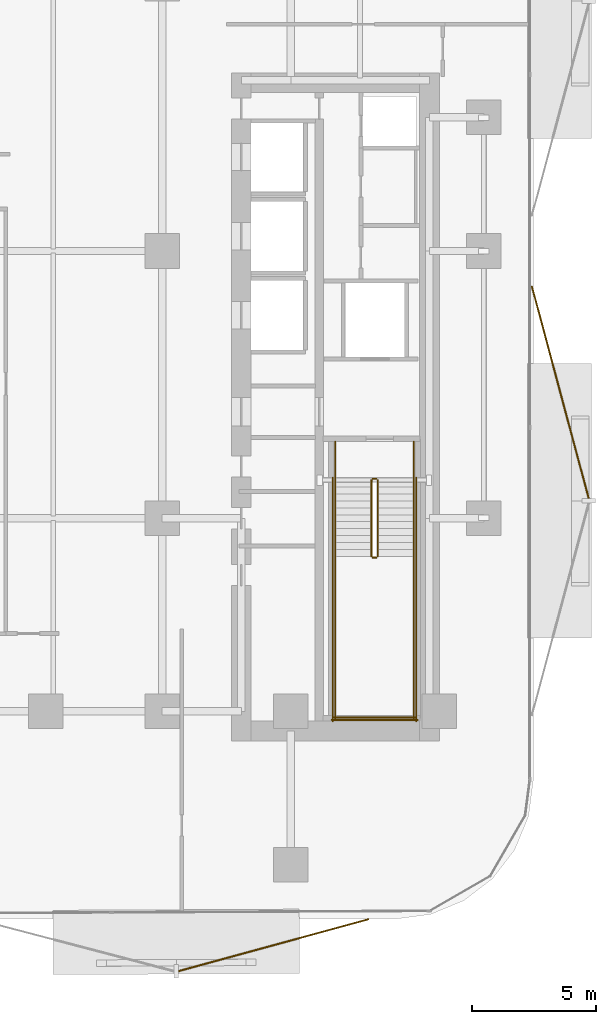
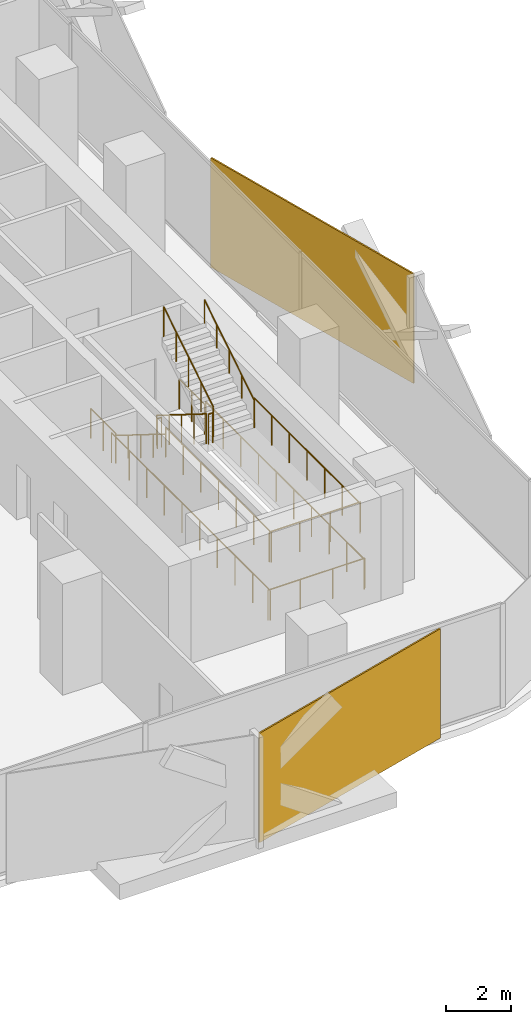
# One storey, part 14 of 16: 14 railings, 2 coverings.
"""IFC4 building model written with IfcOpenShell, lengths in metres."""

from ifc_helpers import new_model, si_unit, direction, frame, origin, origin_2d, place, context, subcontext, project, spatial, rectangle, circle, extrude, material, layer, layer_set, type_object, element, save


model = new_model("IFC4")

# Units and contexts
model_context = context("Model", 3, precision=1e-05, world=origin(), true_north=direction((0.0, 1.0)))
body_context = subcontext(model_context, "Body", "Model", "MODEL_VIEW")
ifc_project = project(units=[si_unit("LENGTHUNIT", "METRE"), si_unit("AREAUNIT", "SQUARE_METRE"), si_unit("VOLUMEUNIT", "CUBIC_METRE"), si_unit("PLANEANGLEUNIT", "RADIAN"), si_unit("MASSUNIT", "GRAM", prefix="KILO")], contexts=[model_context])

# Site, building, storey
site_placement = place(None, origin())
site = spatial("IfcSite", under=ifc_project, at=site_placement, CompositionType="ELEMENT")
building_placement = place(site_placement, origin())
building = spatial("IfcBuilding", under=site, at=building_placement, Name="Khairoan Windgate Tower", CompositionType="ELEMENT")
storey_placement = place(building_placement, frame((0.0, 0.0, 42.800048828125)))
storey = spatial("IfcBuildingStorey", under=building, at=storey_placement, Name="L10", CompositionType="ELEMENT", Elevation=42.800048828125)

# Coverings
ifc_material_1 = material(Name="Anodised Bronze Aluminium 6063-T6", Category="aluminium")
ifc_layer = layer(ifc_material_1, 0.054931640625, Name="Anodised Bronze Aluminium 6063-T6")
ifc_layer_set = layer_set([ifc_layer], Name="Anodised Bronze Aluminium 6063-T6")
covering_type = type_object("IfcCoveringType", Name="Perforated Bronze-Ceramic Folded Solar Screen Cladding BSC-1", PredefinedType="CLADDING", material=ifc_layer_set)
covering_1_placement = place(storey_placement, frame((13.705322265625, -28.052734375, -0.10009765625), z_axis=(0.0, 0.0, 1.0), x_axis=(-0.964649468762, -0.263536339841, 0.0)))
element("IfcCovering", 1, at=covering_1_placement, inside=storey, type_object=covering_type, Name="L10 Folded Bronze Solar Screen Facet 33L", PredefinedType="CLADDING", context=body_context, shape_type="SweptSolid", body=[
    extrude(rectangle(XDim=7.965087890625, YDim=0.054931640625, at=origin_2d()), origin(), (0.0, 0.0, 1.0), 4.139892578125),
])
covering_2_placement = place(storey_placement, frame((25.290283203125, -5.71484375, -0.10009765625), z_axis=(0.0, 0.0, 1.0), x_axis=(0.258819045103, -0.965925826289, 0.0)))
element("IfcCovering", 2, at=covering_2_placement, inside=storey, type_object=covering_type, Name="L10 Folded Bronze Solar Screen Facet 40L", PredefinedType="CLADDING", context=body_context, shape_type="SweptSolid", body=[
    extrude(rectangle(XDim=8.884033203125, YDim=0.054931640625, at=origin_2d()), origin(), (0.0, 0.0, 1.0), 4.139892578125),
])

# Railings
ifc_material_2 = material(Name="Anodised Bronze Aluminium 6063-T6", Category="aluminium")
railing_type_1 = type_object("IfcRailingType", Name="Stair Wall Handrail SHR-900", PredefinedType="HANDRAIL", material=ifc_material_2)
railing_1_placement = place(storey_placement, frame((16.199951171875, -9.260009765625, 0.175048828125)))
element("IfcRailing", 3, at=railing_1_placement, inside=storey, type_object=railing_type_1, Name="L10 ST1 stair handrail 1", PredefinedType="HANDRAIL", context=body_context, shape_type="SweptSolid", body=[
    extrude(circle(Radius=0.02392578125, at=origin_2d()), frame((0.0, 0.0, 0.8759765625), z_axis=(0.0, -0.848028513186, 0.529950602248), x_axis=(1.0, 0.0, 0.0)), (0.0, 0.0, 1.0), 3.632080078125),
    extrude(circle(Radius=0.02099609375, at=origin_2d()), origin(), (0.0, 0.0, 1.0), 0.851806640625),
    extrude(circle(Radius=0.02099609375, at=origin_2d()), frame((0.0, -0.77001953125, 0.481201171875)), (0.0, 0.0, 1.0), 0.851806640625),
    extrude(circle(Radius=0.02099609375, at=origin_2d()), frame((0.0, -1.5400390625, 0.96240234375)), (0.0, 0.0, 1.0), 0.851806640625),
    extrude(circle(Radius=0.02099609375, at=origin_2d()), frame((0.0, -2.31005859375, 1.443603515625)), (0.0, 0.0, 1.0), 0.851806640625),
    extrude(circle(Radius=0.02099609375, at=origin_2d()), frame((0.0, -3.080078125, 1.9248046875)), (0.0, 0.0, 1.0), 0.851806640625),
])
railing_2_placement = place(storey_placement, frame((19.3701171875, -12.340087890625, 2.27490234375)))
element("IfcRailing", 4, at=railing_2_placement, inside=storey, type_object=railing_type_1, Name="L10 ST1 stair handrail 2", PredefinedType="HANDRAIL", context=body_context, shape_type="SweptSolid", body=[
    extrude(circle(Radius=0.02392578125, at=origin_2d()), frame((0.0, 0.0, 0.8759765625), z_axis=(0.0, 0.847998304005, 0.529998940003), x_axis=(-1.0, 0.0, 0.0)), (0.0, 0.0, 1.0), 3.632080078125),
    extrude(circle(Radius=0.02099609375, at=origin_2d()), origin(), (0.0, 0.0, 1.0), 0.851806640625),
    extrude(circle(Radius=0.02099609375, at=origin_2d()), frame((0.0, 0.77001953125, 0.481201171875)), (0.0, 0.0, 1.0), 0.851806640625),
    extrude(circle(Radius=0.02099609375, at=origin_2d()), frame((0.0, 1.5400390625, 0.96240234375)), (0.0, 0.0, 1.0), 0.851806640625),
    extrude(circle(Radius=0.02099609375, at=origin_2d()), frame((0.0, 2.31005859375, 1.44384765625)), (0.0, 0.0, 1.0), 0.851806640625),
    extrude(circle(Radius=0.02099609375, at=origin_2d()), frame((0.0, 3.080078125, 1.925048828125)), (0.0, 0.0, 1.0), 0.851806640625),
])
ifc_material_3 = material(Name="Steel S355", Category="steel")
railing_type_2 = type_object("IfcRailingType", Name="Stairwell Safety Guardrail SGR-1150", PredefinedType="GUARDRAIL", material=ifc_material_3)
railing_3_placement = place(storey_placement, frame((17.659912109375, -9.260009765625, 0.175048828125)))
element("IfcRailing", 5, at=railing_3_placement, inside=storey, type_object=railing_type_2, Name="L10 ST1 stair guard 1", PredefinedType="GUARDRAIL", context=body_context, shape_type="SweptSolid", body=[
    extrude(circle(Radius=0.02392578125, at=origin_2d()), frame((0.0, 0.0, 1.1259765625), z_axis=(0.0, -0.848028513186, 0.529950602248), x_axis=(1.0, 0.0, 0.0)), (0.0, 0.0, 1.0), 3.632080078125),
    extrude(circle(Radius=0.02099609375, at=origin_2d()), origin(), (0.0, 0.0, 1.0), 1.101806640625),
    extrude(circle(Radius=0.02099609375, at=origin_2d()), frame((0.0, -0.77001953125, 0.481201171875)), (0.0, 0.0, 1.0), 1.101806640625),
    extrude(circle(Radius=0.02099609375, at=origin_2d()), frame((0.0, -1.5400390625, 0.96240234375)), (0.0, 0.0, 1.0), 1.101806640625),
    extrude(circle(Radius=0.02099609375, at=origin_2d()), frame((0.0, -2.31005859375, 1.443603515625)), (0.0, 0.0, 1.0), 1.101806640625),
    extrude(circle(Radius=0.02099609375, at=origin_2d()), frame((0.0, -3.080078125, 1.9248046875)), (0.0, 0.0, 1.0), 1.101806640625),
])
railing_4_placement = place(storey_placement, frame((17.7099609375, -12.389892578125, 2.099853515625)))
element("IfcRailing", 6, at=railing_4_placement, inside=storey, type_object=railing_type_2, Name="L10 ST1 stair guard 2", PredefinedType="GUARDRAIL", context=body_context, shape_type="SweptSolid", body=[
    extrude(circle(Radius=0.02392578125, at=origin_2d()), frame((0.0, 0.0, 1.1259765625), z_axis=(1.0, 0.0, 0.0), x_axis=(0.0, 1.0, 0.0)), (0.0, 0.0, 1.0), 0.150146484375),
    extrude(circle(Radius=0.02099609375, at=origin_2d()), origin(), (0.0, 0.0, 1.0), 1.101806640625),
    extrude(circle(Radius=0.02099609375, at=origin_2d()), frame((0.150146484375, 0.0, 0.0)), (0.0, 0.0, 1.0), 1.101806640625),
])
for number, where, name in (
    (7, (16.199951171875, -12.340087890625, 2.099853515625), "L10 ST1 stair guard 3"),
    (8, (19.3701171875, -12.340087890625, 2.099853515625), "L10 ST1 stair guard 4"),
):
    element("IfcRailing", number, at=place(storey_placement, frame(where)), inside=storey, type_object=railing_type_2, Name=name, PredefinedType="GUARDRAIL", context=body_context, shape_type="SweptSolid", body=[
        extrude(circle(Radius=0.02392578125, at=origin_2d()), frame((0.0, 0.0, 1.1259765625), z_axis=(0.0, -1.0, 0.0), x_axis=(1.0, 0.0, 0.0)), (0.0, 0.0, 1.0), 6.559814453125),
        extrude(circle(Radius=0.02099609375, at=origin_2d()), origin(), (0.0, 0.0, 1.0), 1.101806640625),
        extrude(circle(Radius=0.02099609375, at=origin_2d()), frame((0.0, -1.09326171875, 0.0)), (0.0, 0.0, 1.0), 1.101806640625),
        extrude(circle(Radius=0.02099609375, at=origin_2d()), frame((0.0, -2.1865234375, 0.0)), (0.0, 0.0, 1.0), 1.101806640625),
        extrude(circle(Radius=0.02099609375, at=origin_2d()), frame((0.0, -3.27978515625, 0.0)), (0.0, 0.0, 1.0), 1.101806640625),
        extrude(circle(Radius=0.02099609375, at=origin_2d()), frame((0.0, -4.373291015625, 0.0)), (0.0, 0.0, 1.0), 1.101806640625),
        extrude(circle(Radius=0.02099609375, at=origin_2d()), frame((0.0, -5.466552734375, 0.0)), (0.0, 0.0, 1.0), 1.101806640625),
        extrude(circle(Radius=0.02099609375, at=origin_2d()), frame((0.0, -6.559814453125, 0.0)), (0.0, 0.0, 1.0), 1.101806640625),
    ])
railing_5_placement = place(storey_placement, frame((16.14990234375, -18.85009765625, 2.099853515625)))
element("IfcRailing", 9, at=railing_5_placement, inside=storey, type_object=railing_type_2, Name="L10 ST1 stair guard 5", PredefinedType="GUARDRAIL", context=body_context, shape_type="SweptSolid", body=[
    extrude(circle(Radius=0.02392578125, at=origin_2d()), frame((0.0, 0.0, 1.1259765625), z_axis=(1.0, 0.0, 0.0), x_axis=(0.0, 1.0, 0.0)), (0.0, 0.0, 1.0), 3.27001953125),
    extrude(circle(Radius=0.02099609375, at=origin_2d()), origin(), (0.0, 0.0, 1.0), 1.101806640625),
    extrude(circle(Radius=0.02099609375, at=origin_2d()), frame((1.090087890625, 0.0, 0.0)), (0.0, 0.0, 1.0), 1.101806640625),
    extrude(circle(Radius=0.02099609375, at=origin_2d()), frame((2.179931640625, 0.0, 0.0)), (0.0, 0.0, 1.0), 1.101806640625),
    extrude(circle(Radius=0.02099609375, at=origin_2d()), frame((3.27001953125, 0.0, 0.0)), (0.0, 0.0, 1.0), 1.101806640625),
])
railing_6_placement = place(storey_placement, frame((17.909912109375, -12.340087890625, 2.27490234375)))
element("IfcRailing", 10, at=railing_6_placement, inside=storey, type_object=railing_type_2, Name="L10 ST1 stair guard 6", PredefinedType="GUARDRAIL", context=body_context, shape_type="SweptSolid", body=[
    extrude(circle(Radius=0.02392578125, at=origin_2d()), frame((0.0, 0.0, 1.1259765625), z_axis=(0.0, 0.847998304005, 0.529998940003), x_axis=(-1.0, 0.0, 0.0)), (0.0, 0.0, 1.0), 3.632080078125),
    extrude(circle(Radius=0.02099609375, at=origin_2d()), origin(), (0.0, 0.0, 1.0), 1.101806640625),
    extrude(circle(Radius=0.02099609375, at=origin_2d()), frame((0.0, 0.77001953125, 0.481201171875)), (0.0, 0.0, 1.0), 1.101806640625),
    extrude(circle(Radius=0.02099609375, at=origin_2d()), frame((0.0, 1.5400390625, 0.96240234375)), (0.0, 0.0, 1.0), 1.101806640625),
    extrude(circle(Radius=0.02099609375, at=origin_2d()), frame((0.0, 2.31005859375, 1.44384765625)), (0.0, 0.0, 1.0), 1.101806640625),
    extrude(circle(Radius=0.02099609375, at=origin_2d()), frame((0.0, 3.080078125, 1.925048828125)), (0.0, 0.0, 1.0), 1.101806640625),
])
railing_7_placement = place(storey_placement, frame((17.7099609375, -9.2099609375, 0.0)))
element("IfcRailing", 11, at=railing_7_placement, inside=storey, type_object=railing_type_2, Name="L10 ST1 stair guard 7", PredefinedType="GUARDRAIL", context=body_context, shape_type="SweptSolid", body=[
    extrude(circle(Radius=0.02392578125, at=origin_2d()), frame((0.0, 0.0, 1.1259765625), z_axis=(1.0, 0.0, 0.0), x_axis=(0.0, 1.0, 0.0)), (0.0, 0.0, 1.0), 0.150146484375),
    extrude(circle(Radius=0.02099609375, at=origin_2d()), origin(), (0.0, 0.0, 1.0), 1.101806640625),
    extrude(circle(Radius=0.02099609375, at=origin_2d()), frame((0.150146484375, 0.0, 0.0)), (0.0, 0.0, 1.0), 1.101806640625),
])
for number, where, name in (
    (12, (16.199951171875, -7.699951171875, 0.0), "L10 ST1 stair guard 8"),
    (13, (19.3701171875, -7.699951171875, 0.0), "L10 ST1 stair guard 9"),
):
    element("IfcRailing", number, at=place(storey_placement, frame(where)), inside=storey, type_object=railing_type_2, Name=name, PredefinedType="GUARDRAIL", context=body_context, shape_type="SweptSolid", body=[
        extrude(circle(Radius=0.02392578125, at=origin_2d()), frame((0.0, 0.0, 1.1259765625), z_axis=(0.0, -1.0, 0.0), x_axis=(1.0, 0.0, 0.0)), (0.0, 0.0, 1.0), 1.56005859375),
        extrude(circle(Radius=0.02099609375, at=origin_2d()), origin(), (0.0, 0.0, 1.0), 1.101806640625),
        extrude(circle(Radius=0.02099609375, at=origin_2d()), frame((0.0, -0.780029296875, 0.0)), (0.0, 0.0, 1.0), 1.101806640625),
        extrude(circle(Radius=0.02099609375, at=origin_2d()), frame((0.0, -1.56005859375, 0.0)), (0.0, 0.0, 1.0), 1.101806640625),
    ])
for number, where, name in (
    (14, (16.10009765625, -9.159912109375, 0.0), "L10 ST1 stair guard 10"),
    (15, (19.469970703125, -9.159912109375, 0.0), "L10 ST1 stair guard 11"),
):
    element("IfcRailing", number, at=place(storey_placement, frame(where)), inside=storey, type_object=railing_type_2, Name=name, PredefinedType="GUARDRAIL", context=body_context, shape_type="SweptSolid", body=[
        extrude(circle(Radius=0.02392578125, at=origin_2d()), frame((0.0, 0.0, 1.1259765625), z_axis=(0.0, -1.0, 0.0), x_axis=(1.0, 0.0, 0.0)), (0.0, 0.0, 1.0), 9.840087890625),
        extrude(circle(Radius=0.02099609375, at=origin_2d()), origin(), (0.0, 0.0, 1.0), 1.101806640625),
        extrude(circle(Radius=0.02099609375, at=origin_2d()), frame((0.0, -1.09326171875, 0.0)), (0.0, 0.0, 1.0), 1.101806640625),
        extrude(circle(Radius=0.02099609375, at=origin_2d()), frame((0.0, -2.186767578125, 0.0)), (0.0, 0.0, 1.0), 1.101806640625),
        extrude(circle(Radius=0.02099609375, at=origin_2d()), frame((0.0, -3.280029296875, 0.0)), (0.0, 0.0, 1.0), 1.101806640625),
        extrude(circle(Radius=0.02099609375, at=origin_2d()), frame((0.0, -4.373291015625, 0.0)), (0.0, 0.0, 1.0), 1.101806640625),
        extrude(circle(Radius=0.02099609375, at=origin_2d()), frame((0.0, -5.466796875, 0.0)), (0.0, 0.0, 1.0), 1.101806640625),
        extrude(circle(Radius=0.02099609375, at=origin_2d()), frame((0.0, -6.56005859375, 0.0)), (0.0, 0.0, 1.0), 1.101806640625),
        extrude(circle(Radius=0.02099609375, at=origin_2d()), frame((0.0, -7.6533203125, 0.0)), (0.0, 0.0, 1.0), 1.101806640625),
        extrude(circle(Radius=0.02099609375, at=origin_2d()), frame((0.0, -8.746826171875, 0.0)), (0.0, 0.0, 1.0), 1.101806640625),
        extrude(circle(Radius=0.02099609375, at=origin_2d()), frame((0.0, -9.840087890625, 0.0)), (0.0, 0.0, 1.0), 1.101806640625),
    ])
railing_8_placement = place(storey_placement, frame((16.050048828125, -18.949951171875, 0.0)))
element("IfcRailing", 16, at=railing_8_placement, inside=storey, type_object=railing_type_2, Name="L10 ST1 stair guard 12", PredefinedType="GUARDRAIL", context=body_context, shape_type="SweptSolid", body=[
    extrude(circle(Radius=0.02392578125, at=origin_2d()), frame((0.0, 0.0, 1.1259765625), z_axis=(1.0, 0.0, 0.0), x_axis=(0.0, 1.0, 0.0)), (0.0, 0.0, 1.0), 3.469970703125),
    extrude(circle(Radius=0.02099609375, at=origin_2d()), origin(), (0.0, 0.0, 1.0), 1.101806640625),
    extrude(circle(Radius=0.02099609375, at=origin_2d()), frame((1.15673828125, 0.0, 0.0)), (0.0, 0.0, 1.0), 1.101806640625),
    extrude(circle(Radius=0.02099609375, at=origin_2d()), frame((2.313232421875, 0.0, 0.0)), (0.0, 0.0, 1.0), 1.101806640625),
    extrude(circle(Radius=0.02099609375, at=origin_2d()), frame((3.469970703125, 0.0, 0.0)), (0.0, 0.0, 1.0), 1.101806640625),
])

save(model, "model.ifc")
